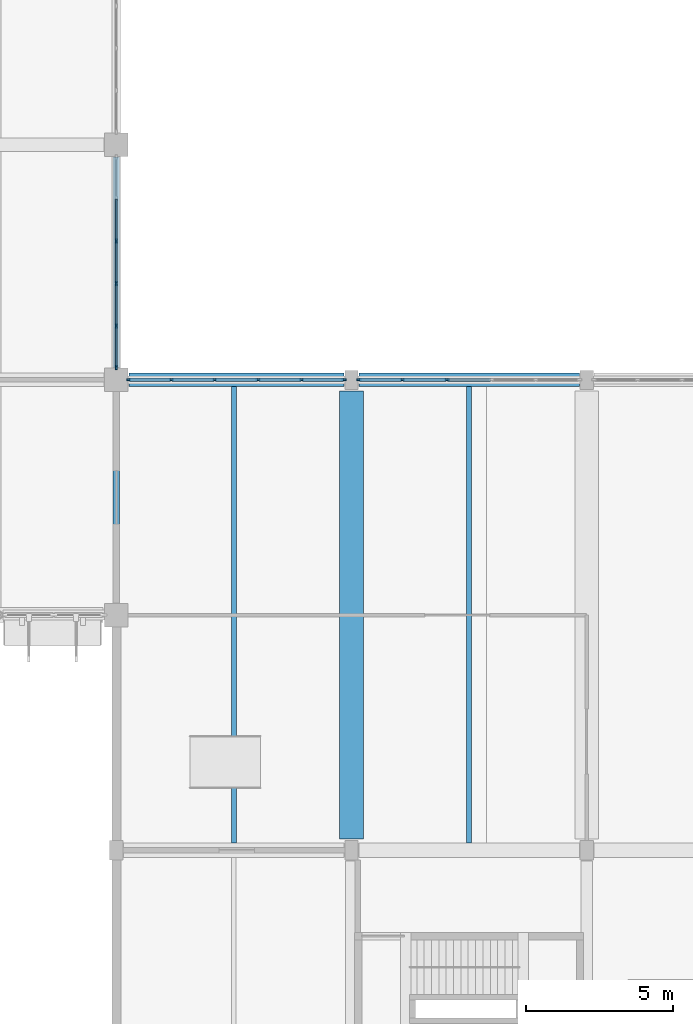
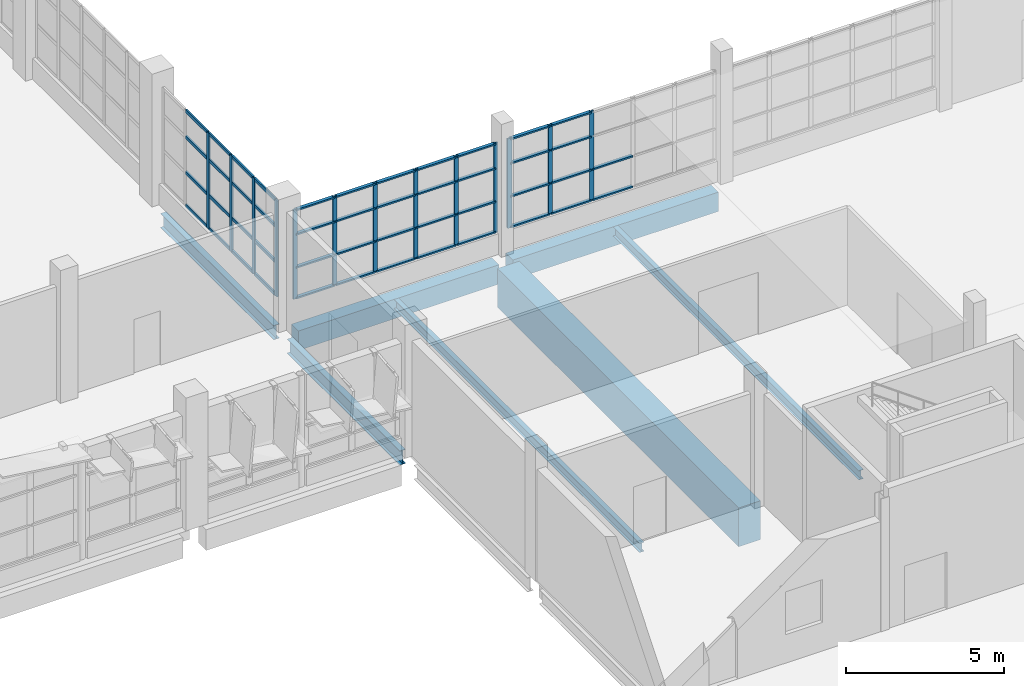
# One storey, part 21 of 103: 59 members, 7 beams, 3 elements without a shape of their own.
"""IFC4 building model written with IfcOpenShell, lengths in metres."""

import ifcopenshell
import ifcopenshell.guid

model = None  # the IFC model being written
_history = None  # IfcOwnerHistory: only IFC2X3 demands one
_inside = {}  # id of a spatial element -> (the spatial element, [elements in it])
_under = {}  # id of a project, library or spatial element -> (it, [spatial elements below it])
_declared = {}  # id of a project -> (the project, [libraries it declares])
_typed = {}  # id of a type object -> (the type object, [elements of that type])
_made_of = {}  # id of a material, layer set ... -> (it, [elements and type objects made of it])


def new_model(schema):
    """Start an empty IFC model of exactly this schema.

    Asked for "IFC4X3", IfcOpenShell would pick the latest addendum, in which some entities
    have other attributes; the version numbers below select the first issue.
    IFC2X3 requires an IfcOwnerHistory on every rooted entity: one is made here for all.
    """
    global model, _history
    if schema == "IFC4X3":
        model = ifcopenshell.file(schema_version=(4, 3, 0, 0))
    else:
        model = ifcopenshell.file(schema=schema)
    _inside.clear()
    _under.clear()
    _declared.clear()
    _typed.clear()
    _made_of.clear()
    _history = None
    if model.schema == "IFC2X3":
        org = make("IfcOrganization", Name="unknown")
        user = make(
            "IfcPersonAndOrganization",
            ThePerson=make("IfcPerson", FamilyName="unknown"),
            TheOrganization=org,
        )
        app = make(
            "IfcApplication",
            ApplicationDeveloper=org,
            Version="unknown",
            ApplicationFullName="unknown",
            ApplicationIdentifier="unknown",
        )
        _history = make(
            "IfcOwnerHistory",
            OwningUser=user,
            OwningApplication=app,
            ChangeAction="ADDED",
            CreationDate=0,
        )
    return model


def make(cls, **values):
    """One entity of the class cls with the attributes given. An attribute that is None is left unset."""
    return model.create_entity(
        cls, **{name: value for name, value in values.items() if value is not None}
    )


def rooted(cls, **values):
    """An entity with a GlobalId (a new one), such as an element, a storey or a relation."""
    return make(cls, GlobalId=ifcopenshell.guid.new(), OwnerHistory=_history, **values)


def si_unit(unit_type, name, prefix=None):
    """IfcSIUnit, for example si_unit("LENGTHUNIT", "METRE", prefix="MILLI")."""
    return make("IfcSIUnit", UnitType=unit_type, Prefix=prefix, Name=name)


def assignment(units):
    """IfcUnitAssignment: the units of a project."""
    return None if units is None else make("IfcUnitAssignment", Units=units)


def point(xyz):
    """IfcCartesianPoint."""
    return None if xyz is None else make("IfcCartesianPoint", Coordinates=xyz)


def direction(xyz):
    """IfcDirection."""
    return None if xyz is None else make("IfcDirection", DirectionRatios=xyz)


def frame(location, z_axis=None, x_axis=None):
    """IfcAxis2Placement3D, a coordinate frame: its origin and axes. An axis left out is left unset."""
    return make(
        "IfcAxis2Placement3D",
        Location=point(location),
        Axis=direction(z_axis),
        RefDirection=direction(x_axis),
    )


def frame_2d(location, x_axis=None):
    """IfcAxis2Placement2D, a coordinate frame in the plane: its origin and x axis."""
    return make(
        "IfcAxis2Placement2D", Location=point(location), RefDirection=direction(x_axis)
    )


def origin():
    """The frame at (0, 0, 0) with its axes left unset."""
    return frame((0.0, 0.0, 0.0))


def origin_2d():
    """The frame at (0, 0) in the plane with its x axis left unset."""
    return frame_2d((0.0, 0.0))


def place(relative_to, where):
    """IfcLocalPlacement: puts the frame where relative to a parent placement (None: the world)."""
    return make(
        "IfcLocalPlacement", PlacementRelTo=relative_to, RelativePlacement=where
    )


def context(
    kind, dimensions, precision=None, world=None, true_north=None, identifier=None
):
    """IfcGeometricRepresentationContext, for example the 3D "Model" context."""
    return make(
        "IfcGeometricRepresentationContext",
        ContextIdentifier=identifier,
        ContextType=kind,
        CoordinateSpaceDimension=dimensions,
        Precision=precision,
        WorldCoordinateSystem=world,
        TrueNorth=true_north,
    )


def subcontext(parent, identifier, kind, view, scale=None):
    """IfcGeometricRepresentationSubContext, for example "Body" below "Model"."""
    return make(
        "IfcGeometricRepresentationSubContext",
        ContextIdentifier=identifier,
        ContextType=kind,
        ParentContext=parent,
        TargetScale=scale,
        TargetView=view,
    )


def project(units=None, contexts=None):
    """IfcProject with its units and contexts."""
    return rooted(
        "IfcProject",
        Name="project",
        RepresentationContexts=contexts,
        UnitsInContext=assignment(units),
    )


def spatial(cls, under=None, at=None, **own):
    """A site, building, storey or space (cls), placed at a placement, below another one or the project."""
    s = rooted(cls, ObjectPlacement=at, **own)
    if under is not None:
        _under.setdefault(under.id(), (under, []))[1].append(s)
    return s


def profile(cls, at=None, kind="AREA", **sizes):
    """A parametric profile (cls). Its sizes go by their IFC names, for example OverallWidth=200.0."""
    return make(cls, ProfileType=kind, Position=at, **sizes)


def rectangle(**sizes):
    """IfcRectangleProfileDef."""
    return profile("IfcRectangleProfileDef", **sizes)


def i_section(**sizes):
    """IfcIShapeProfileDef."""
    return profile("IfcIShapeProfileDef", **sizes)


def extrude(swept, where, along, depth):
    """IfcExtrudedAreaSolid: the profile swept, set in the frame where, extruded along a direction by depth."""
    return make(
        "IfcExtrudedAreaSolid",
        SweptArea=swept,
        Position=where,
        ExtrudedDirection=direction(along),
        Depth=depth,
    )


def shape(context_of_items, identifier, shape_type, items):
    """IfcShapeRepresentation: the items that make up one representation, for example the "Body"."""
    return make(
        "IfcShapeRepresentation",
        ContextOfItems=context_of_items,
        RepresentationIdentifier=identifier,
        RepresentationType=shape_type,
        Items=items,
    )


def material(Name=None, Category=None):
    """IfcMaterial."""
    return make("IfcMaterial", Name=Name, Category=Category)


def layer(
    of_material, thickness, ventilated=None, Name=None, Category=None, Priority=None
):
    """IfcMaterialLayer: one layer of a wall or slab, of a material (None: an air gap)."""
    return make(
        "IfcMaterialLayer",
        Material=of_material,
        LayerThickness=thickness,
        IsVentilated=ventilated,
        Name=Name,
        Category=Category,
        Priority=Priority,
    )


def layer_set(layers, Name=None):
    """IfcMaterialLayerSet."""
    return make("IfcMaterialLayerSet", MaterialLayers=layers, LayerSetName=Name)


def material_profile(
    of_material, cross_section, Name=None, Category=None, Priority=None
):
    """IfcMaterialProfile: a cross section and its material."""
    return make(
        "IfcMaterialProfile",
        Name=Name,
        Material=of_material,
        Profile=cross_section,
        Priority=Priority,
        Category=Category,
    )


def profile_set(profiles, Name=None, composite=None):
    """IfcMaterialProfileSet."""
    return make(
        "IfcMaterialProfileSet",
        Name=Name,
        MaterialProfiles=profiles,
        CompositeProfile=composite,
    )


def made_of(thing, what):
    """Note that an element or type object is made of a material, layer set ...; save() writes the relation."""
    if what is not None:
        _made_of.setdefault(what.id(), (what, []))[1].append(thing)
    return thing


def type_object(cls, material=None, **own):
    """A type object (cls), such as IfcWallType, which elements share."""
    return made_of(rooted(cls, **own), material)


def element(
    cls,
    number,
    at=None,
    inside=None,
    cuts=None,
    type_object=None,
    material=None,
    context=None,
    identifier="Body",
    shape_type=None,
    held_by="IfcProductDefinitionShape",
    body=None,
    shapes=None,
    **own,
):
    """One element of the class cls, such as IfcWall. Its Tag is "e" and its number.

    at: its placement. inside: the storey or other place that contains it. cuts: it is an
    opening in that element (IfcRelVoidsElement). A single representation is given by context,
    identifier, shape_type and body (its items); several are given by shapes. held_by: the class
    of the entity that holds the representations. save() writes the other relations.
    """
    e = rooted(cls, Tag="e%d" % number, ObjectPlacement=at, **own)
    if body is not None:
        shapes = [shape(context, identifier, shape_type, body)]
    if shapes is not None:
        e.Representation = make(held_by, Representations=shapes)
    if inside is not None:
        _inside.setdefault(inside.id(), (inside, []))[1].append(e)
    if cuts is not None:
        rooted(
            "IfcRelVoidsElement", RelatingBuildingElement=cuts, RelatedOpeningElement=e
        )
    if type_object is not None:
        _typed.setdefault(type_object.id(), (type_object, []))[1].append(e)
    return made_of(e, material)


def aggregate(whole, parts):
    """IfcRelAggregates: a whole, such as a stair, and the parts it consists of."""
    return rooted("IfcRelAggregates", RelatingObject=whole, RelatedObjects=parts)


def save(model, path):
    """Write the relations noted so far, then the file.

    IfcRelAggregates (storeys below a building ...), IfcRelContainedInSpatialStructure (elements
    in a storey), IfcRelDefinesByType, IfcRelAssociatesMaterial and IfcRelDeclares: one each for
    every whole, place, type object, material and project.
    """
    for whole, parts in _under.values():
        aggregate(whole, parts)
    for where, things in _inside.values():
        rooted(
            "IfcRelContainedInSpatialStructure",
            RelatedElements=things,
            RelatingStructure=where,
        )
    for kind, things in _typed.values():
        rooted("IfcRelDefinesByType", RelatedObjects=things, RelatingType=kind)
    for what, things in _made_of.values():
        rooted("IfcRelAssociatesMaterial", RelatedObjects=things, RelatingMaterial=what)
    for by, libraries in _declared.values():
        rooted("IfcRelDeclares", RelatingContext=by, RelatedDefinitions=libraries)
    model.write(path)


model = new_model("IFC4")

# Units and contexts
model_context = context("Model", 3, precision=1e-05, world=origin(), true_north=direction((0.0, 1.0)))
body_context = subcontext(model_context, "Body", "Model", "MODEL_VIEW")
ifc_project = project(units=[si_unit("LENGTHUNIT", "METRE"), si_unit("AREAUNIT", "SQUARE_METRE"), si_unit("VOLUMEUNIT", "CUBIC_METRE"), si_unit("PLANEANGLEUNIT", "RADIAN"), si_unit("MASSUNIT", "GRAM", prefix="KILO")], contexts=[model_context])

# Site, building, storey
site_placement = place(None, origin())
site = spatial("IfcSite", under=ifc_project, at=site_placement, CompositionType="ELEMENT")
building_placement = place(site_placement, origin())
building = spatial("IfcBuilding", under=site, at=building_placement, Name="Drelvana Railside Aquatics Centre", CompositionType="ELEMENT")
storey_placement = place(building_placement, origin())
storey = spatial("IfcBuildingStorey", under=building, at=storey_placement, Name="L00", CompositionType="ELEMENT", Elevation=0.0)

# Curtain wall, members
ifc_material_1 = material(Name="Bronze-anodised aluminium curtain wall", Category="aluminium")
ifc_layer = layer(ifc_material_1, 0.1650390625, Name="Bronze-anodised aluminium curtain wall")
ifc_layer_set = layer_set([ifc_layer], Name="Bronze-anodised aluminium curtain wall")
curtain_wall_type = type_object("IfcCurtainWallType", Name="CW-Z5-COURT", PredefinedType="NOTDEFINED", material=ifc_layer_set)
curtain_wall_1_placement = place(storey_placement, origin())
curtain_wall_1 = element("IfcCurtainWall", 1, at=curtain_wall_1_placement, inside=storey, type_object=curtain_wall_type, Name="Curtain wall CW-05-055", PredefinedType="NOTDEFINED")
ifc_material_2 = material(Name="Bronze-anodised aluminium 6063-T6", Category="aluminium")
ifc_material_profile_1 = material_profile(ifc_material_2, rectangle(XDim=0.06005859375, YDim=0.14990234375, at=origin_2d()), Name="ALU-M 60x150")
ifc_profile_set_1 = profile_set([ifc_material_profile_1], Name="Bronze-anodised aluminium 6063-T6")
member_type_1 = type_object("IfcMemberType", Name="CW-Z5-COURT-MUL", PredefinedType="MULLION", material=ifc_profile_set_1)
member_1_placement = place(storey_placement, frame((96.0, 24.424072265625, 0.7939453125), z_axis=(0.0, 0.0, 1.0), x_axis=(-1.0, 0.0, 0.0)))
member_1 = element("IfcMember", 2, at=member_1_placement, type_object=member_type_1, Name="CW-05 mullion 1", PredefinedType="MULLION", context=body_context, shape_type="SweptSolid", body=[
    extrude(rectangle(XDim=0.06005859375, YDim=0.14990234375, at=origin_2d()), origin(), (0.0, 0.0, 1.0), 3.7060546875),
])
member_2_placement = place(storey_placement, frame((96.0, 25.83642578125, 0.7939453125), z_axis=(0.0, 0.0, 1.0), x_axis=(-1.0, 0.0, 0.0)))
member_2 = element("IfcMember", 3, at=member_2_placement, type_object=member_type_1, Name="CW-05 mullion 2", PredefinedType="MULLION", context=body_context, shape_type="SweptSolid", body=[
    extrude(rectangle(XDim=0.06005859375, YDim=0.14990234375, at=origin_2d()), origin(), (0.0, 0.0, 1.0), 3.7060546875),
])
member_3_placement = place(storey_placement, frame((96.0, 27.27880859375, 0.7939453125), z_axis=(0.0, 0.0, 1.0), x_axis=(-1.0, 0.0, 0.0)))
member_3 = element("IfcMember", 4, at=member_3_placement, type_object=member_type_1, Name="CW-05 mullion 3", PredefinedType="MULLION", context=body_context, shape_type="SweptSolid", body=[
    extrude(rectangle(XDim=0.06005859375, YDim=0.14990234375, at=origin_2d()), origin(), (0.0, 0.0, 1.0), 3.7060546875),
])
member_4_placement = place(storey_placement, frame((96.0, 28.72119140625, 0.7939453125), z_axis=(0.0, 0.0, 1.0), x_axis=(-1.0, 0.0, 0.0)))
member_4 = element("IfcMember", 5, at=member_4_placement, type_object=member_type_1, Name="CW-05 mullion 4", PredefinedType="MULLION", context=body_context, shape_type="SweptSolid", body=[
    extrude(rectangle(XDim=0.06005859375, YDim=0.14990234375, at=origin_2d()), origin(), (0.0, 0.0, 1.0), 3.7060546875),
])

curtain_wall_2_placement = place(storey_placement, origin())
curtain_wall_2 = element("IfcCurtainWall", 6, at=curtain_wall_2_placement, inside=storey, type_object=curtain_wall_type, Name="Curtain wall CW-05-100", PredefinedType="NOTDEFINED")
member_5_placement = place(storey_placement, frame((96.424072265625, 24.0, 0.7939453125), z_axis=(0.0, 0.0, 1.0), x_axis=(0.0, 1.0, 0.0)))
member_5 = element("IfcMember", 7, at=member_5_placement, type_object=member_type_1, Name="CW-05 mullion 1", PredefinedType="MULLION", context=body_context, shape_type="SweptSolid", body=[
    extrude(rectangle(XDim=0.06005859375, YDim=0.14990234375, at=origin_2d()), origin(), (0.0, 0.0, 1.0), 3.4560546875),
])
member_6_placement = place(storey_placement, frame((97.871337890625, 24.0, 0.7939453125), z_axis=(0.0, 0.0, 1.0), x_axis=(0.0, 1.0, 0.0)))
member_6 = element("IfcMember", 8, at=member_6_placement, type_object=member_type_1, Name="CW-05 mullion 2", PredefinedType="MULLION", context=body_context, shape_type="SweptSolid", body=[
    extrude(rectangle(XDim=0.06005859375, YDim=0.14990234375, at=origin_2d()), origin(), (0.0, 0.0, 1.0), 3.4560546875),
])
member_7_placement = place(storey_placement, frame((99.348876953125, 24.0, 0.7939453125), z_axis=(0.0, 0.0, 1.0), x_axis=(0.0, 1.0, 0.0)))
member_7 = element("IfcMember", 9, at=member_7_placement, type_object=member_type_1, Name="CW-05 mullion 3", PredefinedType="MULLION", context=body_context, shape_type="SweptSolid", body=[
    extrude(rectangle(XDim=0.06005859375, YDim=0.14990234375, at=origin_2d()), origin(), (0.0, 0.0, 1.0), 3.4560546875),
])
member_8_placement = place(storey_placement, frame((100.826171875, 24.0, 0.7939453125), z_axis=(0.0, 0.0, 1.0), x_axis=(0.0, 1.0, 0.0)))
member_8 = element("IfcMember", 10, at=member_8_placement, type_object=member_type_1, Name="CW-05 mullion 4", PredefinedType="MULLION", context=body_context, shape_type="SweptSolid", body=[
    extrude(rectangle(XDim=0.06005859375, YDim=0.14990234375, at=origin_2d()), origin(), (0.0, 0.0, 1.0), 3.4560546875),
])
member_9_placement = place(storey_placement, frame((102.3037109375, 24.0, 0.7939453125), z_axis=(0.0, 0.0, 1.0), x_axis=(0.0, 1.0, 0.0)))
member_9 = element("IfcMember", 11, at=member_9_placement, type_object=member_type_1, Name="CW-05 mullion 5", PredefinedType="MULLION", context=body_context, shape_type="SweptSolid", body=[
    extrude(rectangle(XDim=0.06005859375, YDim=0.14990234375, at=origin_2d()), origin(), (0.0, 0.0, 1.0), 3.4560546875),
])
member_10_placement = place(storey_placement, frame((103.7509765625, 24.0, 0.7939453125), z_axis=(0.0, 0.0, 1.0), x_axis=(0.0, 1.0, 0.0)))
member_10 = element("IfcMember", 12, at=member_10_placement, type_object=member_type_1, Name="CW-05 mullion 6", PredefinedType="MULLION", context=body_context, shape_type="SweptSolid", body=[
    extrude(rectangle(XDim=0.06005859375, YDim=0.14990234375, at=origin_2d()), origin(), (0.0, 0.0, 1.0), 3.4560546875),
])

curtain_wall_3_placement = place(storey_placement, origin())
curtain_wall_3 = element("IfcCurtainWall", 13, at=curtain_wall_3_placement, inside=storey, type_object=curtain_wall_type, Name="Curtain wall CW-05-102", PredefinedType="NOTDEFINED")
member_11_placement = place(storey_placement, frame((104.2490234375, 24.0, 0.7939453125), z_axis=(0.0, 0.0, 1.0), x_axis=(0.0, 1.0, 0.0)))
member_11 = element("IfcMember", 14, at=member_11_placement, type_object=member_type_1, Name="CW-05 mullion 1", PredefinedType="MULLION", context=body_context, shape_type="SweptSolid", body=[
    extrude(rectangle(XDim=0.06005859375, YDim=0.14990234375, at=origin_2d()), origin(), (0.0, 0.0, 1.0), 3.4560546875),
])
member_12_placement = place(storey_placement, frame((105.7314453125, 24.0, 0.7939453125), z_axis=(0.0, 0.0, 1.0), x_axis=(0.0, 1.0, 0.0)))
member_12 = element("IfcMember", 15, at=member_12_placement, type_object=member_type_1, Name="CW-05 mullion 2", PredefinedType="MULLION", context=body_context, shape_type="SweptSolid", body=[
    extrude(rectangle(XDim=0.06005859375, YDim=0.14990234375, at=origin_2d()), origin(), (0.0, 0.0, 1.0), 3.4560546875),
])
member_13_placement = place(storey_placement, frame((107.243896484375, 24.0, 0.7939453125), z_axis=(0.0, 0.0, 1.0), x_axis=(0.0, 1.0, 0.0)))
member_13 = element("IfcMember", 16, at=member_13_placement, type_object=member_type_1, Name="CW-05 mullion 3", PredefinedType="MULLION", context=body_context, shape_type="SweptSolid", body=[
    extrude(rectangle(XDim=0.06005859375, YDim=0.14990234375, at=origin_2d()), origin(), (0.0, 0.0, 1.0), 3.4560546875),
])

# Member
ifc_material_profile_2 = material_profile(ifc_material_2, rectangle(XDim=0.1201171875, YDim=0.06005859375, at=origin_2d()), Name="ALU-T 60x120")
ifc_profile_set_2 = profile_set([ifc_material_profile_2], Name="Bronze-anodised aluminium 6063-T6")
member_type_2 = type_object("IfcMemberType", Name="CW-Z5-COURT-TRN", PredefinedType="USERDEFINED", material=ifc_profile_set_2)
member_14_placement = place(storey_placement, frame((96.0, 24.448974609375, 0.823974609375), z_axis=(0.0, 1.0, 0.0), x_axis=(0.0, 0.0, 1.0)))
member_14 = element("IfcMember", 17, at=member_14_placement, type_object=member_type_2, Name="CW-05 transom 1.1", ObjectType="TRANSOM", PredefinedType="USERDEFINED", context=body_context, shape_type="SweptSolid", body=[
    extrude(rectangle(XDim=0.1201171875, YDim=0.06005859375, at=origin_2d()), origin(), (0.0, 0.0, 1.0), 1.3623046875),
])

member_15_placement = place(storey_placement, frame((96.0, 24.448974609375, 2.091064453125), z_axis=(0.0, 1.0, 0.0), x_axis=(0.0, 0.0, 1.0)))
member_15 = element("IfcMember", 18, at=member_15_placement, type_object=member_type_2, Name="CW-05 transom 1.2", ObjectType="TRANSOM", PredefinedType="USERDEFINED", context=body_context, shape_type="SweptSolid", body=[
    extrude(rectangle(XDim=0.1201171875, YDim=0.06005859375, at=origin_2d()), origin(), (0.0, 0.0, 1.0), 1.3623046875),
])

member_16_placement = place(storey_placement, frame((96.0, 24.448974609375, 3.4619140625), z_axis=(0.0, 1.0, 0.0), x_axis=(0.0, 0.0, 1.0)))
member_16 = element("IfcMember", 19, at=member_16_placement, type_object=member_type_2, Name="CW-05 transom 1.3", ObjectType="TRANSOM", PredefinedType="USERDEFINED", context=body_context, shape_type="SweptSolid", body=[
    extrude(rectangle(XDim=0.1201171875, YDim=0.06005859375, at=origin_2d()), origin(), (0.0, 0.0, 1.0), 1.3623046875),
])

member_17_placement = place(storey_placement, frame((96.0, 24.448974609375, 4.469970703125), z_axis=(0.0, 1.0, 0.0), x_axis=(0.0, 0.0, 1.0)))
member_17 = element("IfcMember", 20, at=member_17_placement, type_object=member_type_2, Name="CW-05 transom 1.4", ObjectType="TRANSOM", PredefinedType="USERDEFINED", context=body_context, shape_type="SweptSolid", body=[
    extrude(rectangle(XDim=0.1201171875, YDim=0.06005859375, at=origin_2d()), origin(), (0.0, 0.0, 1.0), 1.3623046875),
])

member_18_placement = place(storey_placement, frame((96.0, 25.861328125, 0.823974609375), z_axis=(0.0, 1.0, 0.0), x_axis=(0.0, 0.0, 1.0)))
member_18 = element("IfcMember", 21, at=member_18_placement, type_object=member_type_2, Name="CW-05 transom 2.1", ObjectType="TRANSOM", PredefinedType="USERDEFINED", context=body_context, shape_type="SweptSolid", body=[
    extrude(rectangle(XDim=0.1201171875, YDim=0.06005859375, at=origin_2d()), origin(), (0.0, 0.0, 1.0), 1.392578125),
])

member_19_placement = place(storey_placement, frame((96.0, 25.861328125, 2.091064453125), z_axis=(0.0, 1.0, 0.0), x_axis=(0.0, 0.0, 1.0)))
member_19 = element("IfcMember", 22, at=member_19_placement, type_object=member_type_2, Name="CW-05 transom 2.2", ObjectType="TRANSOM", PredefinedType="USERDEFINED", context=body_context, shape_type="SweptSolid", body=[
    extrude(rectangle(XDim=0.1201171875, YDim=0.06005859375, at=origin_2d()), origin(), (0.0, 0.0, 1.0), 1.392578125),
])

member_20_placement = place(storey_placement, frame((96.0, 25.861328125, 3.4619140625), z_axis=(0.0, 1.0, 0.0), x_axis=(0.0, 0.0, 1.0)))
member_20 = element("IfcMember", 23, at=member_20_placement, type_object=member_type_2, Name="CW-05 transom 2.3", ObjectType="TRANSOM", PredefinedType="USERDEFINED", context=body_context, shape_type="SweptSolid", body=[
    extrude(rectangle(XDim=0.1201171875, YDim=0.06005859375, at=origin_2d()), origin(), (0.0, 0.0, 1.0), 1.392578125),
])

member_21_placement = place(storey_placement, frame((96.0, 25.861328125, 4.469970703125), z_axis=(0.0, 1.0, 0.0), x_axis=(0.0, 0.0, 1.0)))
member_21 = element("IfcMember", 24, at=member_21_placement, type_object=member_type_2, Name="CW-05 transom 2.4", ObjectType="TRANSOM", PredefinedType="USERDEFINED", context=body_context, shape_type="SweptSolid", body=[
    extrude(rectangle(XDim=0.1201171875, YDim=0.06005859375, at=origin_2d()), origin(), (0.0, 0.0, 1.0), 1.392578125),
])

member_22_placement = place(storey_placement, frame((96.0, 27.3037109375, 0.823974609375), z_axis=(0.0, 1.0, 0.0), x_axis=(0.0, 0.0, 1.0)))
member_22 = element("IfcMember", 25, at=member_22_placement, type_object=member_type_2, Name="CW-05 transom 3.1", ObjectType="TRANSOM", PredefinedType="USERDEFINED", context=body_context, shape_type="SweptSolid", body=[
    extrude(rectangle(XDim=0.1201171875, YDim=0.06005859375, at=origin_2d()), origin(), (0.0, 0.0, 1.0), 1.392578125),
])

member_23_placement = place(storey_placement, frame((96.0, 27.3037109375, 2.091064453125), z_axis=(0.0, 1.0, 0.0), x_axis=(0.0, 0.0, 1.0)))
member_23 = element("IfcMember", 26, at=member_23_placement, type_object=member_type_2, Name="CW-05 transom 3.2", ObjectType="TRANSOM", PredefinedType="USERDEFINED", context=body_context, shape_type="SweptSolid", body=[
    extrude(rectangle(XDim=0.1201171875, YDim=0.06005859375, at=origin_2d()), origin(), (0.0, 0.0, 1.0), 1.392578125),
])

member_24_placement = place(storey_placement, frame((96.0, 27.3037109375, 3.4619140625), z_axis=(0.0, 1.0, 0.0), x_axis=(0.0, 0.0, 1.0)))
member_24 = element("IfcMember", 27, at=member_24_placement, type_object=member_type_2, Name="CW-05 transom 3.3", ObjectType="TRANSOM", PredefinedType="USERDEFINED", context=body_context, shape_type="SweptSolid", body=[
    extrude(rectangle(XDim=0.1201171875, YDim=0.06005859375, at=origin_2d()), origin(), (0.0, 0.0, 1.0), 1.392578125),
])

member_25_placement = place(storey_placement, frame((96.0, 27.3037109375, 4.469970703125), z_axis=(0.0, 1.0, 0.0), x_axis=(0.0, 0.0, 1.0)))
member_25 = element("IfcMember", 28, at=member_25_placement, type_object=member_type_2, Name="CW-05 transom 3.4", ObjectType="TRANSOM", PredefinedType="USERDEFINED", context=body_context, shape_type="SweptSolid", body=[
    extrude(rectangle(XDim=0.1201171875, YDim=0.06005859375, at=origin_2d()), origin(), (0.0, 0.0, 1.0), 1.392578125),
])

member_26_placement = place(storey_placement, frame((96.0, 28.74609375, 0.823974609375), z_axis=(0.0, 1.0, 0.0), x_axis=(0.0, 0.0, 1.0)))
member_26 = element("IfcMember", 29, at=member_26_placement, type_object=member_type_2, Name="CW-05 transom 4.1", ObjectType="TRANSOM", PredefinedType="USERDEFINED", context=body_context, shape_type="SweptSolid", body=[
    extrude(rectangle(XDim=0.1201171875, YDim=0.06005859375, at=origin_2d()), origin(), (0.0, 0.0, 1.0), 1.392578125),
])

member_27_placement = place(storey_placement, frame((96.0, 28.74609375, 2.091064453125), z_axis=(0.0, 1.0, 0.0), x_axis=(0.0, 0.0, 1.0)))
member_27 = element("IfcMember", 30, at=member_27_placement, type_object=member_type_2, Name="CW-05 transom 4.2", ObjectType="TRANSOM", PredefinedType="USERDEFINED", context=body_context, shape_type="SweptSolid", body=[
    extrude(rectangle(XDim=0.1201171875, YDim=0.06005859375, at=origin_2d()), origin(), (0.0, 0.0, 1.0), 1.392578125),
])

member_28_placement = place(storey_placement, frame((96.0, 28.74609375, 3.4619140625), z_axis=(0.0, 1.0, 0.0), x_axis=(0.0, 0.0, 1.0)))
member_28 = element("IfcMember", 31, at=member_28_placement, type_object=member_type_2, Name="CW-05 transom 4.3", ObjectType="TRANSOM", PredefinedType="USERDEFINED", context=body_context, shape_type="SweptSolid", body=[
    extrude(rectangle(XDim=0.1201171875, YDim=0.06005859375, at=origin_2d()), origin(), (0.0, 0.0, 1.0), 1.392578125),
])

member_29_placement = place(storey_placement, frame((96.0, 28.74609375, 4.469970703125), z_axis=(0.0, 1.0, 0.0), x_axis=(0.0, 0.0, 1.0)))
member_29 = element("IfcMember", 32, at=member_29_placement, type_object=member_type_2, Name="CW-05 transom 4.4", ObjectType="TRANSOM", PredefinedType="USERDEFINED", context=body_context, shape_type="SweptSolid", body=[
    extrude(rectangle(XDim=0.1201171875, YDim=0.06005859375, at=origin_2d()), origin(), (0.0, 0.0, 1.0), 1.392578125),
])

aggregate(curtain_wall_1, [member_1, member_2, member_3, member_4, member_14, member_15, member_16, member_17, member_18, member_19, member_20, member_21, member_22, member_23, member_24, member_25, member_26, member_27, member_28, member_29])

member_30_placement = place(storey_placement, frame((96.448974609375, 24.0, 0.823974609375), z_axis=(1.0, 0.0, 0.0), x_axis=(0.0, 1.0, 0.0)))
member_30 = element("IfcMember", 33, at=member_30_placement, type_object=member_type_2, Name="CW-05 transom 1.1", ObjectType="TRANSOM", PredefinedType="USERDEFINED", context=body_context, shape_type="SweptSolid", body=[
    extrude(rectangle(XDim=0.1201171875, YDim=0.06005859375, at=origin_2d()), origin(), (0.0, 0.0, 1.0), 1.3974609375),
])

member_31_placement = place(storey_placement, frame((96.448974609375, 24.0, 2.00390625), z_axis=(1.0, 0.0, 0.0), x_axis=(0.0, 1.0, 0.0)))
member_31 = element("IfcMember", 34, at=member_31_placement, type_object=member_type_2, Name="CW-05 transom 1.2", ObjectType="TRANSOM", PredefinedType="USERDEFINED", context=body_context, shape_type="SweptSolid", body=[
    extrude(rectangle(XDim=0.1201171875, YDim=0.06005859375, at=origin_2d()), origin(), (0.0, 0.0, 1.0), 1.3974609375),
])

member_32_placement = place(storey_placement, frame((96.448974609375, 24.0, 3.281982421875), z_axis=(1.0, 0.0, 0.0), x_axis=(0.0, 1.0, 0.0)))
member_32 = element("IfcMember", 35, at=member_32_placement, type_object=member_type_2, Name="CW-05 transom 1.3", ObjectType="TRANSOM", PredefinedType="USERDEFINED", context=body_context, shape_type="SweptSolid", body=[
    extrude(rectangle(XDim=0.1201171875, YDim=0.06005859375, at=origin_2d()), origin(), (0.0, 0.0, 1.0), 1.3974609375),
])

member_33_placement = place(storey_placement, frame((96.448974609375, 24.0, 4.219970703125), z_axis=(1.0, 0.0, 0.0), x_axis=(0.0, 1.0, 0.0)))
member_33 = element("IfcMember", 36, at=member_33_placement, type_object=member_type_2, Name="CW-05 transom 1.4", ObjectType="TRANSOM", PredefinedType="USERDEFINED", context=body_context, shape_type="SweptSolid", body=[
    extrude(rectangle(XDim=0.1201171875, YDim=0.06005859375, at=origin_2d()), origin(), (0.0, 0.0, 1.0), 1.3974609375),
])

member_34_placement = place(storey_placement, frame((97.896484375, 24.0, 0.823974609375), z_axis=(1.0, 0.0, 0.0), x_axis=(0.0, 1.0, 0.0)))
member_34 = element("IfcMember", 37, at=member_34_placement, type_object=member_type_2, Name="CW-05 transom 2.1", ObjectType="TRANSOM", PredefinedType="USERDEFINED", context=body_context, shape_type="SweptSolid", body=[
    extrude(rectangle(XDim=0.1201171875, YDim=0.06005859375, at=origin_2d()), origin(), (0.0, 0.0, 1.0), 1.42724609375),
])

member_35_placement = place(storey_placement, frame((97.896484375, 24.0, 2.00390625), z_axis=(1.0, 0.0, 0.0), x_axis=(0.0, 1.0, 0.0)))
member_35 = element("IfcMember", 38, at=member_35_placement, type_object=member_type_2, Name="CW-05 transom 2.2", ObjectType="TRANSOM", PredefinedType="USERDEFINED", context=body_context, shape_type="SweptSolid", body=[
    extrude(rectangle(XDim=0.1201171875, YDim=0.06005859375, at=origin_2d()), origin(), (0.0, 0.0, 1.0), 1.42724609375),
])

member_36_placement = place(storey_placement, frame((97.896484375, 24.0, 3.281982421875), z_axis=(1.0, 0.0, 0.0), x_axis=(0.0, 1.0, 0.0)))
member_36 = element("IfcMember", 39, at=member_36_placement, type_object=member_type_2, Name="CW-05 transom 2.3", ObjectType="TRANSOM", PredefinedType="USERDEFINED", context=body_context, shape_type="SweptSolid", body=[
    extrude(rectangle(XDim=0.1201171875, YDim=0.06005859375, at=origin_2d()), origin(), (0.0, 0.0, 1.0), 1.42724609375),
])

member_37_placement = place(storey_placement, frame((97.896484375, 24.0, 4.219970703125), z_axis=(1.0, 0.0, 0.0), x_axis=(0.0, 1.0, 0.0)))
member_37 = element("IfcMember", 40, at=member_37_placement, type_object=member_type_2, Name="CW-05 transom 2.4", ObjectType="TRANSOM", PredefinedType="USERDEFINED", context=body_context, shape_type="SweptSolid", body=[
    extrude(rectangle(XDim=0.1201171875, YDim=0.06005859375, at=origin_2d()), origin(), (0.0, 0.0, 1.0), 1.42724609375),
])

member_38_placement = place(storey_placement, frame((99.373779296875, 24.0, 0.823974609375), z_axis=(1.0, 0.0, 0.0), x_axis=(0.0, 1.0, 0.0)))
member_38 = element("IfcMember", 41, at=member_38_placement, type_object=member_type_2, Name="CW-05 transom 3.1", ObjectType="TRANSOM", PredefinedType="USERDEFINED", context=body_context, shape_type="SweptSolid", body=[
    extrude(rectangle(XDim=0.1201171875, YDim=0.06005859375, at=origin_2d()), origin(), (0.0, 0.0, 1.0), 1.427490234375),
])

member_39_placement = place(storey_placement, frame((99.373779296875, 24.0, 2.00390625), z_axis=(1.0, 0.0, 0.0), x_axis=(0.0, 1.0, 0.0)))
member_39 = element("IfcMember", 42, at=member_39_placement, type_object=member_type_2, Name="CW-05 transom 3.2", ObjectType="TRANSOM", PredefinedType="USERDEFINED", context=body_context, shape_type="SweptSolid", body=[
    extrude(rectangle(XDim=0.1201171875, YDim=0.06005859375, at=origin_2d()), origin(), (0.0, 0.0, 1.0), 1.427490234375),
])

member_40_placement = place(storey_placement, frame((99.373779296875, 24.0, 3.281982421875), z_axis=(1.0, 0.0, 0.0), x_axis=(0.0, 1.0, 0.0)))
member_40 = element("IfcMember", 43, at=member_40_placement, type_object=member_type_2, Name="CW-05 transom 3.3", ObjectType="TRANSOM", PredefinedType="USERDEFINED", context=body_context, shape_type="SweptSolid", body=[
    extrude(rectangle(XDim=0.1201171875, YDim=0.06005859375, at=origin_2d()), origin(), (0.0, 0.0, 1.0), 1.427490234375),
])

member_41_placement = place(storey_placement, frame((99.373779296875, 24.0, 4.219970703125), z_axis=(1.0, 0.0, 0.0), x_axis=(0.0, 1.0, 0.0)))
member_41 = element("IfcMember", 44, at=member_41_placement, type_object=member_type_2, Name="CW-05 transom 3.4", ObjectType="TRANSOM", PredefinedType="USERDEFINED", context=body_context, shape_type="SweptSolid", body=[
    extrude(rectangle(XDim=0.1201171875, YDim=0.06005859375, at=origin_2d()), origin(), (0.0, 0.0, 1.0), 1.427490234375),
])

member_42_placement = place(storey_placement, frame((100.851318359375, 24.0, 0.823974609375), z_axis=(1.0, 0.0, 0.0), x_axis=(0.0, 1.0, 0.0)))
member_42 = element("IfcMember", 45, at=member_42_placement, type_object=member_type_2, Name="CW-05 transom 4.1", ObjectType="TRANSOM", PredefinedType="USERDEFINED", context=body_context, shape_type="SweptSolid", body=[
    extrude(rectangle(XDim=0.1201171875, YDim=0.06005859375, at=origin_2d()), origin(), (0.0, 0.0, 1.0), 1.42724609375),
])

member_43_placement = place(storey_placement, frame((100.851318359375, 24.0, 2.00390625), z_axis=(1.0, 0.0, 0.0), x_axis=(0.0, 1.0, 0.0)))
member_43 = element("IfcMember", 46, at=member_43_placement, type_object=member_type_2, Name="CW-05 transom 4.2", ObjectType="TRANSOM", PredefinedType="USERDEFINED", context=body_context, shape_type="SweptSolid", body=[
    extrude(rectangle(XDim=0.1201171875, YDim=0.06005859375, at=origin_2d()), origin(), (0.0, 0.0, 1.0), 1.42724609375),
])

member_44_placement = place(storey_placement, frame((100.851318359375, 24.0, 3.281982421875), z_axis=(1.0, 0.0, 0.0), x_axis=(0.0, 1.0, 0.0)))
member_44 = element("IfcMember", 47, at=member_44_placement, type_object=member_type_2, Name="CW-05 transom 4.3", ObjectType="TRANSOM", PredefinedType="USERDEFINED", context=body_context, shape_type="SweptSolid", body=[
    extrude(rectangle(XDim=0.1201171875, YDim=0.06005859375, at=origin_2d()), origin(), (0.0, 0.0, 1.0), 1.42724609375),
])

member_45_placement = place(storey_placement, frame((100.851318359375, 24.0, 4.219970703125), z_axis=(1.0, 0.0, 0.0), x_axis=(0.0, 1.0, 0.0)))
member_45 = element("IfcMember", 48, at=member_45_placement, type_object=member_type_2, Name="CW-05 transom 4.4", ObjectType="TRANSOM", PredefinedType="USERDEFINED", context=body_context, shape_type="SweptSolid", body=[
    extrude(rectangle(XDim=0.1201171875, YDim=0.06005859375, at=origin_2d()), origin(), (0.0, 0.0, 1.0), 1.42724609375),
])

member_46_placement = place(storey_placement, frame((102.32861328125, 24.0, 0.823974609375), z_axis=(1.0, 0.0, 0.0), x_axis=(0.0, 1.0, 0.0)))
member_46 = element("IfcMember", 49, at=member_46_placement, type_object=member_type_2, Name="CW-05 transom 5.1", ObjectType="TRANSOM", PredefinedType="USERDEFINED", context=body_context, shape_type="SweptSolid", body=[
    extrude(rectangle(XDim=0.1201171875, YDim=0.06005859375, at=origin_2d()), origin(), (0.0, 0.0, 1.0), 1.3974609375),
])

member_47_placement = place(storey_placement, frame((102.32861328125, 24.0, 2.00390625), z_axis=(1.0, 0.0, 0.0), x_axis=(0.0, 1.0, 0.0)))
member_47 = element("IfcMember", 50, at=member_47_placement, type_object=member_type_2, Name="CW-05 transom 5.2", ObjectType="TRANSOM", PredefinedType="USERDEFINED", context=body_context, shape_type="SweptSolid", body=[
    extrude(rectangle(XDim=0.1201171875, YDim=0.06005859375, at=origin_2d()), origin(), (0.0, 0.0, 1.0), 1.3974609375),
])

member_48_placement = place(storey_placement, frame((102.32861328125, 24.0, 3.281982421875), z_axis=(1.0, 0.0, 0.0), x_axis=(0.0, 1.0, 0.0)))
member_48 = element("IfcMember", 51, at=member_48_placement, type_object=member_type_2, Name="CW-05 transom 5.3", ObjectType="TRANSOM", PredefinedType="USERDEFINED", context=body_context, shape_type="SweptSolid", body=[
    extrude(rectangle(XDim=0.1201171875, YDim=0.06005859375, at=origin_2d()), origin(), (0.0, 0.0, 1.0), 1.3974609375),
])

member_49_placement = place(storey_placement, frame((102.32861328125, 24.0, 4.219970703125), z_axis=(1.0, 0.0, 0.0), x_axis=(0.0, 1.0, 0.0)))
member_49 = element("IfcMember", 52, at=member_49_placement, type_object=member_type_2, Name="CW-05 transom 5.4", ObjectType="TRANSOM", PredefinedType="USERDEFINED", context=body_context, shape_type="SweptSolid", body=[
    extrude(rectangle(XDim=0.1201171875, YDim=0.06005859375, at=origin_2d()), origin(), (0.0, 0.0, 1.0), 1.3974609375),
])

aggregate(curtain_wall_2, [member_5, member_6, member_7, member_8, member_9, member_10, member_30, member_31, member_32, member_33, member_34, member_35, member_36, member_37, member_38, member_39, member_40, member_41, member_42, member_43, member_44, member_45, member_46, member_47, member_48, member_49])

member_50_placement = place(storey_placement, frame((104.27392578125, 24.0, 0.823974609375), z_axis=(1.0, 0.0, 0.0), x_axis=(0.0, 1.0, 0.0)))
member_50 = element("IfcMember", 53, at=member_50_placement, type_object=member_type_2, Name="CW-05 transom 1.1", ObjectType="TRANSOM", PredefinedType="USERDEFINED", context=body_context, shape_type="SweptSolid", body=[
    extrude(rectangle(XDim=0.1201171875, YDim=0.06005859375, at=origin_2d()), origin(), (0.0, 0.0, 1.0), 1.432373046875),
])

member_51_placement = place(storey_placement, frame((104.27392578125, 24.0, 2.00390625), z_axis=(1.0, 0.0, 0.0), x_axis=(0.0, 1.0, 0.0)))
member_51 = element("IfcMember", 54, at=member_51_placement, type_object=member_type_2, Name="CW-05 transom 1.2", ObjectType="TRANSOM", PredefinedType="USERDEFINED", context=body_context, shape_type="SweptSolid", body=[
    extrude(rectangle(XDim=0.1201171875, YDim=0.06005859375, at=origin_2d()), origin(), (0.0, 0.0, 1.0), 1.432373046875),
])

member_52_placement = place(storey_placement, frame((104.27392578125, 24.0, 3.281982421875), z_axis=(1.0, 0.0, 0.0), x_axis=(0.0, 1.0, 0.0)))
member_52 = element("IfcMember", 55, at=member_52_placement, type_object=member_type_2, Name="CW-05 transom 1.3", ObjectType="TRANSOM", PredefinedType="USERDEFINED", context=body_context, shape_type="SweptSolid", body=[
    extrude(rectangle(XDim=0.1201171875, YDim=0.06005859375, at=origin_2d()), origin(), (0.0, 0.0, 1.0), 1.432373046875),
])

member_53_placement = place(storey_placement, frame((104.27392578125, 24.0, 4.219970703125), z_axis=(1.0, 0.0, 0.0), x_axis=(0.0, 1.0, 0.0)))
member_53 = element("IfcMember", 56, at=member_53_placement, type_object=member_type_2, Name="CW-05 transom 1.4", ObjectType="TRANSOM", PredefinedType="USERDEFINED", context=body_context, shape_type="SweptSolid", body=[
    extrude(rectangle(XDim=0.1201171875, YDim=0.06005859375, at=origin_2d()), origin(), (0.0, 0.0, 1.0), 1.432373046875),
])

member_54_placement = place(storey_placement, frame((105.75634765625, 24.0, 0.823974609375), z_axis=(1.0, 0.0, 0.0), x_axis=(0.0, 1.0, 0.0)))
member_54 = element("IfcMember", 57, at=member_54_placement, type_object=member_type_2, Name="CW-05 transom 2.1", ObjectType="TRANSOM", PredefinedType="USERDEFINED", context=body_context, shape_type="SweptSolid", body=[
    extrude(rectangle(XDim=0.1201171875, YDim=0.06005859375, at=origin_2d()), origin(), (0.0, 0.0, 1.0), 1.46240234375),
])

member_55_placement = place(storey_placement, frame((105.75634765625, 24.0, 2.00390625), z_axis=(1.0, 0.0, 0.0), x_axis=(0.0, 1.0, 0.0)))
member_55 = element("IfcMember", 58, at=member_55_placement, type_object=member_type_2, Name="CW-05 transom 2.2", ObjectType="TRANSOM", PredefinedType="USERDEFINED", context=body_context, shape_type="SweptSolid", body=[
    extrude(rectangle(XDim=0.1201171875, YDim=0.06005859375, at=origin_2d()), origin(), (0.0, 0.0, 1.0), 1.46240234375),
])

member_56_placement = place(storey_placement, frame((105.75634765625, 24.0, 3.281982421875), z_axis=(1.0, 0.0, 0.0), x_axis=(0.0, 1.0, 0.0)))
member_56 = element("IfcMember", 59, at=member_56_placement, type_object=member_type_2, Name="CW-05 transom 2.3", ObjectType="TRANSOM", PredefinedType="USERDEFINED", context=body_context, shape_type="SweptSolid", body=[
    extrude(rectangle(XDim=0.1201171875, YDim=0.06005859375, at=origin_2d()), origin(), (0.0, 0.0, 1.0), 1.46240234375),
])

member_57_placement = place(storey_placement, frame((105.75634765625, 24.0, 4.219970703125), z_axis=(1.0, 0.0, 0.0), x_axis=(0.0, 1.0, 0.0)))
member_57 = element("IfcMember", 60, at=member_57_placement, type_object=member_type_2, Name="CW-05 transom 2.4", ObjectType="TRANSOM", PredefinedType="USERDEFINED", context=body_context, shape_type="SweptSolid", body=[
    extrude(rectangle(XDim=0.1201171875, YDim=0.06005859375, at=origin_2d()), origin(), (0.0, 0.0, 1.0), 1.46240234375),
])

member_58_placement = place(storey_placement, frame((107.268798828125, 24.0, 0.823974609375), z_axis=(1.0, 0.0, 0.0), x_axis=(0.0, 1.0, 0.0)))
member_58 = element("IfcMember", 61, at=member_58_placement, type_object=member_type_2, Name="CW-05 transom 3.1", ObjectType="TRANSOM", PredefinedType="USERDEFINED", context=body_context, shape_type="SweptSolid", body=[
    extrude(rectangle(XDim=0.1201171875, YDim=0.06005859375, at=origin_2d()), origin(), (0.0, 0.0, 1.0), 1.46240234375),
])

member_59_placement = place(storey_placement, frame((107.268798828125, 24.0, 2.00390625), z_axis=(1.0, 0.0, 0.0), x_axis=(0.0, 1.0, 0.0)))
member_59 = element("IfcMember", 62, at=member_59_placement, type_object=member_type_2, Name="CW-05 transom 3.2", ObjectType="TRANSOM", PredefinedType="USERDEFINED", context=body_context, shape_type="SweptSolid", body=[
    extrude(rectangle(XDim=0.1201171875, YDim=0.06005859375, at=origin_2d()), origin(), (0.0, 0.0, 1.0), 1.46240234375),
])

aggregate(curtain_wall_3, [member_11, member_12, member_13, member_50, member_51, member_52, member_53, member_54, member_55, member_56, member_57, member_58, member_59])

# Beams
ifc_material_3 = material(Name="Concrete C40/50", Category="concrete")
ifc_material_profile_3 = material_profile(ifc_material_3, rectangle(XDim=0.449951171875, YDim=0.75, at=origin_2d()), Name="RC 450x750")
ifc_profile_set_3 = profile_set([ifc_material_profile_3], Name="Concrete C40/50")
beam_type_1 = type_object("IfcBeamType", Name="STR-BM-BM-04-RC-450x750", PredefinedType="BEAM", material=ifc_profile_set_3)
beam_1_placement = place(storey_placement, frame((96.425048828125, 24.0, -0.705078125), z_axis=(1.0, 0.0, 0.0), x_axis=(0.0, 1.0, 0.0)))
element("IfcBeam", 63, at=beam_1_placement, inside=storey, type_object=beam_type_1, Name="Girder BM-04 (L00)", PredefinedType="BEAM", context=body_context, shape_type="SweptSolid", body=[
    extrude(rectangle(XDim=0.449951171875, YDim=0.75, at=origin_2d()), origin(), (0.0, 0.0, 1.0), 7.324951171875),
])
beam_2_placement = place(storey_placement, frame((104.25, 24.0, -0.705078125), z_axis=(1.0, 0.0, 0.0), x_axis=(0.0, 1.0, 0.0)))
element("IfcBeam", 64, at=beam_2_placement, inside=storey, type_object=beam_type_1, Name="Girder BM-04 (L00)", PredefinedType="BEAM", context=body_context, shape_type="SweptSolid", body=[
    extrude(rectangle(XDim=0.449951171875, YDim=0.75, at=origin_2d()), origin(), (0.0, 0.0, 1.0), 7.5),
])
ifc_material_profile_4 = material_profile(ifc_material_3, rectangle(XDim=0.800048828125, YDim=1.5, at=origin_2d()), Name="RC 800x1500")
ifc_profile_set_4 = profile_set([ifc_material_profile_4], Name="Concrete C40/50")
beam_type_2 = type_object("IfcBeamType", Name="STR-BM-TG-03-RC-800x1500", PredefinedType="BEAM", material=ifc_profile_set_4)
beam_3_placement = place(storey_placement, frame((104.0, 8.375, -1.080078125), z_axis=(0.0, 1.0, 0.0), x_axis=(-1.0, 0.0, 0.0)))
element("IfcBeam", 65, at=beam_3_placement, inside=storey, type_object=beam_type_2, Name="Girder TG-03 (L00)", PredefinedType="BEAM", context=body_context, shape_type="SweptSolid", body=[
    extrude(rectangle(XDim=0.800048828125, YDim=1.5, at=origin_2d()), origin(), (0.0, 0.0, 1.0), 15.25),
])
ifc_material_4 = material(Name="Structural steel S355", Category="steel")
ifc_material_profile_5 = material_profile(ifc_material_4, i_section(OverallWidth=0.2099609375, OverallDepth=0.550048828125, WebThickness=0.010986328125, FlangeThickness=0.01708984375, at=origin_2d()), Name="IPE 550")
ifc_profile_set_5 = profile_set([ifc_material_profile_5], Name="Structural steel S355")
beam_type_3 = type_object("IfcBeamType", Name="STR-SBM-SB-04-IPE-550", PredefinedType="SPANDREL", material=ifc_profile_set_5)
beam_4_placement = place(storey_placement, frame((96.0, 16.449951171875, -0.60498046875), z_axis=(0.0, 1.0, 0.0), x_axis=(-1.0, 0.0, 0.0)))
element("IfcBeam", 66, at=beam_4_placement, inside=storey, type_object=beam_type_3, Name="Girder SB-04 (L00)", PredefinedType="SPANDREL", context=body_context, shape_type="SweptSolid", body=[
    extrude(i_section(OverallWidth=0.2099609375, OverallDepth=0.550048828125, WebThickness=0.010986328125, FlangeThickness=0.01708984375, at=origin_2d()), origin(), (0.0, 0.0, 1.0), 7.125),
])
beam_5_placement = place(storey_placement, frame((96.0, 24.425048828125, -0.60498046875), z_axis=(0.0, 1.0, 0.0), x_axis=(-1.0, 0.0, 0.0)))
element("IfcBeam", 67, at=beam_5_placement, inside=storey, type_object=beam_type_3, Name="Girder SB-04 (L00)", PredefinedType="SPANDREL", context=body_context, shape_type="SweptSolid", body=[
    extrude(i_section(OverallWidth=0.2099609375, OverallDepth=0.550048828125, WebThickness=0.010986328125, FlangeThickness=0.01708984375, at=origin_2d()), origin(), (0.0, 0.0, 1.0), 7.14990234375),
])
ifc_material_profile_6 = material_profile(ifc_material_4, i_section(OverallWidth=0.169921875, OverallDepth=0.360107421875, WebThickness=0.008056640625, FlangeThickness=0.0126953125, at=origin_2d()), Name="IPE 360")
ifc_profile_set_6 = profile_set([ifc_material_profile_6], Name="Structural steel S355")
beam_type_4 = type_object("IfcBeamType", Name="STR-SBM-SJ-05-IPE-360", PredefinedType="JOIST", material=ifc_profile_set_6)
for number, where, z_axis, x_axis, name in (
    (68, (100.0, 8.25, -0.510009765625), (0.0, 1.0, 0.0), (-1.0, 0.0, 0.0), "Secondary floor joist SJ-05 (L00)"),
    (69, (108.0, 8.25, -0.510009765625), (0.0, 1.0, 0.0), (-1.0, 0.0, 0.0), "Secondary floor joist SJ-05 (L00)"),
):
    element("IfcBeam", number, at=place(storey_placement, frame(where, z_axis=z_axis, x_axis=x_axis)), inside=storey, type_object=beam_type_4, Name=name, PredefinedType="JOIST", context=body_context, shape_type="SweptSolid", body=[
        extrude(i_section(OverallWidth=0.169921875, OverallDepth=0.360107421875, WebThickness=0.008056640625, FlangeThickness=0.0126953125, at=origin_2d()), origin(), (0.0, 0.0, 1.0), 15.52490234375),
    ])

save(model, "model.ifc")
